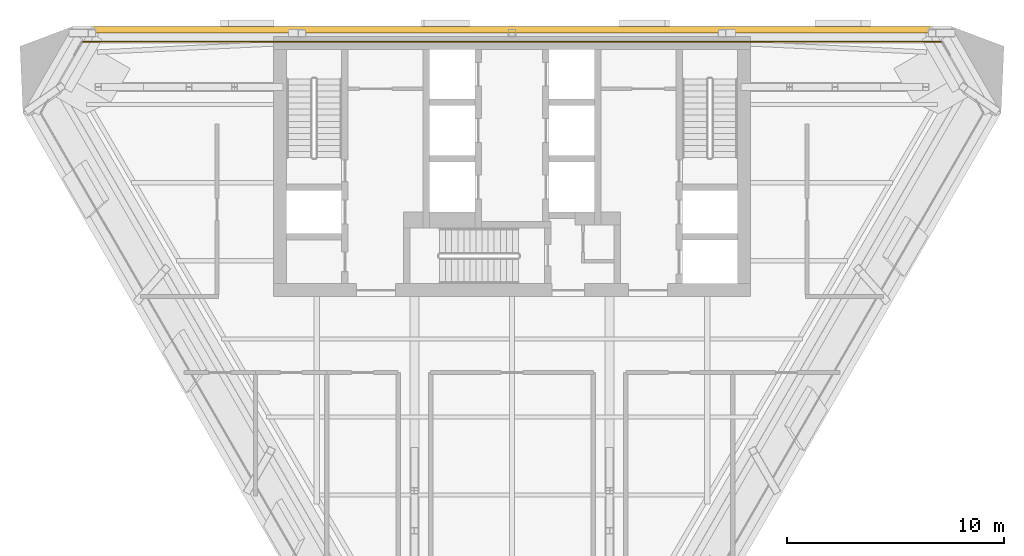
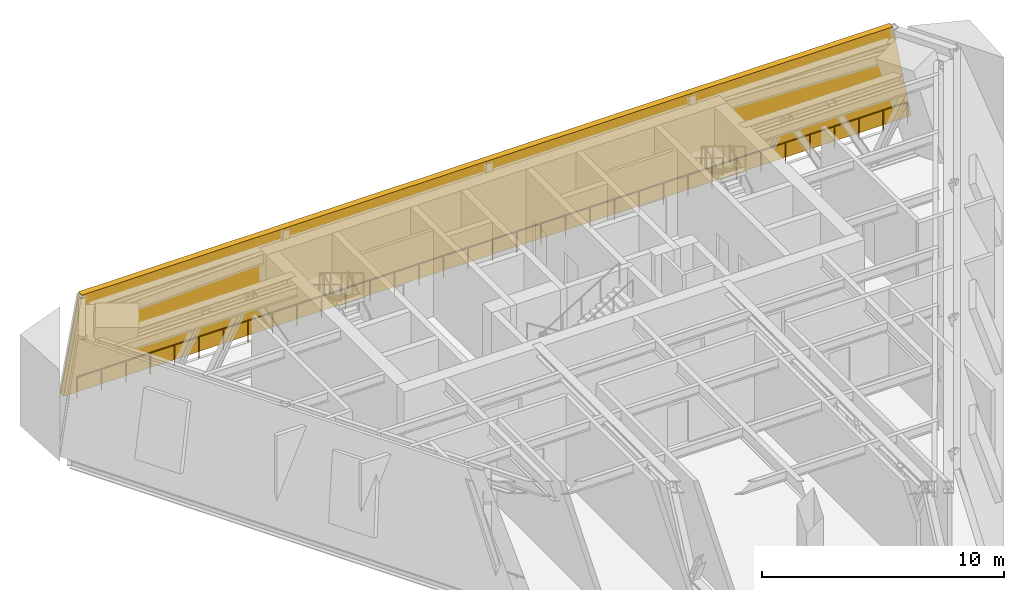
# One storey, part 10 of 11: 1 covering, 1 railing.
"""IFC4 building model written with IfcOpenShell, lengths in metres."""

from ifc_helpers import new_model, si_unit, direction, frame, origin, origin_2d, place, context, subcontext, project, spatial, polyline, circle, outline, extrude, material, layer, layer_set, type_object, element, save


model = new_model("IFC4")

# Units and contexts
model_context = context("Model", 3, precision=1e-05, world=origin(), true_north=direction((0.0, 1.0)))
body_context = subcontext(model_context, "Body", "Model", "MODEL_VIEW")
ifc_project = project(units=[si_unit("LENGTHUNIT", "METRE"), si_unit("AREAUNIT", "SQUARE_METRE"), si_unit("VOLUMEUNIT", "CUBIC_METRE"), si_unit("PLANEANGLEUNIT", "RADIAN"), si_unit("MASSUNIT", "GRAM", prefix="KILO")], contexts=[model_context])

# Site, building, storey
site_placement = place(None, origin())
site = spatial("IfcSite", under=ifc_project, at=site_placement, CompositionType="ELEMENT")
building_placement = place(site_placement, origin())
building = spatial("IfcBuilding", under=site, at=building_placement, Name="Aloe Facet Convention Tower", CompositionType="ELEMENT")
storey_placement = place(building_placement, frame((0.0, 0.0, 175.39990234375)))
storey = spatial("IfcBuildingStorey", under=building, at=storey_placement, Name="L44", CompositionType="ELEMENT", Elevation=175.39990234375)

# Covering
ifc_material_1 = material(Name="Granite cladding, bronze anchors", Category="masonry")
ifc_layer = layer(ifc_material_1, 0.300048828125)
ifc_layer_set = layer_set([ifc_layer], Name="EV-CLAD-STONE")
covering_type = type_object("IfcCoveringType", Name="EV-CLAD-STONE", PredefinedType="CLADDING", material=ifc_layer_set)
covering_placement = place(storey_placement, frame((100.2431640625, 135.0, 0.0), z_axis=(0.0, 1.0, 0.0), x_axis=(-1.0, 0.0, 0.0)))
element("IfcCovering", 1, at=covering_placement, inside=storey, type_object=covering_type, Name="CLADDING L44-N", PredefinedType="CLADDING", context=body_context, shape_type="SweptSolid", body=[
    extrude(outline(polyline([(0.0, 0.0), (40.486328125, 0.0), (39.607666015625, 4.800048828125), (0.878662109375, 4.800048828125), (0.0, 0.0)])), origin(), (0.0, 0.0, -1.0), 0.300048828125),
])

# Railing
ifc_material_2 = material(Name="Steel S355", Category="steel")
railing_type = type_object("IfcRailingType", Name="EV-GUARD-PORTAL", PredefinedType="GUARDRAIL", material=ifc_material_2)
railing_placement = place(storey_placement, frame((60.1611328125, 134.300048828125, 0.0)))
element("IfcRailing", 2, at=railing_placement, inside=storey, type_object=railing_type, Name="GUARD L44-9", PredefinedType="GUARDRAIL", context=body_context, shape_type="SweptSolid", body=[
    extrude(circle(Radius=0.02392578125, at=origin_2d()), frame((0.0, 0.0, 1.076171875), z_axis=(1.0, 0.0, 0.0), x_axis=(0.0, 1.0, 0.0)), (0.0, 0.0, 1.0), 39.677734375),
    extrude(circle(Radius=0.02099609375, at=origin_2d()), origin(), (0.0, 0.0, 1.0), 1.052001953125),
    extrude(circle(Radius=0.02099609375, at=origin_2d()), frame((1.1669921875, 0.0, 0.0)), (0.0, 0.0, 1.0), 1.052001953125),
    extrude(circle(Radius=0.02099609375, at=origin_2d()), frame((2.333984375, 0.0, 0.0)), (0.0, 0.0, 1.0), 1.052001953125),
    extrude(circle(Radius=0.02099609375, at=origin_2d()), frame((3.5009765625, 0.0, 0.0)), (0.0, 0.0, 1.0), 1.052001953125),
    extrude(circle(Radius=0.02099609375, at=origin_2d()), frame((4.66796875, 0.0, 0.0)), (0.0, 0.0, 1.0), 1.052001953125),
    extrude(circle(Radius=0.02099609375, at=origin_2d()), frame((5.8349609375, 0.0, 0.0)), (0.0, 0.0, 1.0), 1.052001953125),
    extrude(circle(Radius=0.02099609375, at=origin_2d()), frame((7.001953125, 0.0, 0.0)), (0.0, 0.0, 1.0), 1.052001953125),
    extrude(circle(Radius=0.02099609375, at=origin_2d()), frame((8.1689453125, 0.0, 0.0)), (0.0, 0.0, 1.0), 1.052001953125),
    extrude(circle(Radius=0.02099609375, at=origin_2d()), frame((9.3359375, 0.0, 0.0)), (0.0, 0.0, 1.0), 1.052001953125),
    extrude(circle(Radius=0.02099609375, at=origin_2d()), frame((10.5029296875, 0.0, 0.0)), (0.0, 0.0, 1.0), 1.052001953125),
    extrude(circle(Radius=0.02099609375, at=origin_2d()), frame((11.669921875, 0.0, 0.0)), (0.0, 0.0, 1.0), 1.052001953125),
    extrude(circle(Radius=0.02099609375, at=origin_2d()), frame((12.8369140625, 0.0, 0.0)), (0.0, 0.0, 1.0), 1.052001953125),
    extrude(circle(Radius=0.02099609375, at=origin_2d()), frame((14.00390625, 0.0, 0.0)), (0.0, 0.0, 1.0), 1.052001953125),
    extrude(circle(Radius=0.02099609375, at=origin_2d()), frame((15.1708984375, 0.0, 0.0)), (0.0, 0.0, 1.0), 1.052001953125),
    extrude(circle(Radius=0.02099609375, at=origin_2d()), frame((16.337890625, 0.0, 0.0)), (0.0, 0.0, 1.0), 1.052001953125),
    extrude(circle(Radius=0.02099609375, at=origin_2d()), frame((17.5048828125, 0.0, 0.0)), (0.0, 0.0, 1.0), 1.052001953125),
    extrude(circle(Radius=0.02099609375, at=origin_2d()), frame((18.671875, 0.0, 0.0)), (0.0, 0.0, 1.0), 1.052001953125),
    extrude(circle(Radius=0.02099609375, at=origin_2d()), frame((19.8388671875, 0.0, 0.0)), (0.0, 0.0, 1.0), 1.052001953125),
    extrude(circle(Radius=0.02099609375, at=origin_2d()), frame((21.005859375, 0.0, 0.0)), (0.0, 0.0, 1.0), 1.052001953125),
    extrude(circle(Radius=0.02099609375, at=origin_2d()), frame((22.1728515625, 0.0, 0.0)), (0.0, 0.0, 1.0), 1.052001953125),
    extrude(circle(Radius=0.02099609375, at=origin_2d()), frame((23.33984375, 0.0, 0.0)), (0.0, 0.0, 1.0), 1.052001953125),
    extrude(circle(Radius=0.02099609375, at=origin_2d()), frame((24.5068359375, 0.0, 0.0)), (0.0, 0.0, 1.0), 1.052001953125),
    extrude(circle(Radius=0.02099609375, at=origin_2d()), frame((25.673828125, 0.0, 0.0)), (0.0, 0.0, 1.0), 1.052001953125),
    extrude(circle(Radius=0.02099609375, at=origin_2d()), frame((26.8408203125, 0.0, 0.0)), (0.0, 0.0, 1.0), 1.052001953125),
    extrude(circle(Radius=0.02099609375, at=origin_2d()), frame((28.0078125, 0.0, 0.0)), (0.0, 0.0, 1.0), 1.052001953125),
    extrude(circle(Radius=0.02099609375, at=origin_2d()), frame((29.1748046875, 0.0, 0.0)), (0.0, 0.0, 1.0), 1.052001953125),
    extrude(circle(Radius=0.02099609375, at=origin_2d()), frame((30.341796875, 0.0, 0.0)), (0.0, 0.0, 1.0), 1.052001953125),
    extrude(circle(Radius=0.02099609375, at=origin_2d()), frame((31.5087890625, 0.0, 0.0)), (0.0, 0.0, 1.0), 1.052001953125),
    extrude(circle(Radius=0.02099609375, at=origin_2d()), frame((32.67578125, 0.0, 0.0)), (0.0, 0.0, 1.0), 1.052001953125),
    extrude(circle(Radius=0.02099609375, at=origin_2d()), frame((33.8427734375, 0.0, 0.0)), (0.0, 0.0, 1.0), 1.052001953125),
    extrude(circle(Radius=0.02099609375, at=origin_2d()), frame((35.009765625, 0.0, 0.0)), (0.0, 0.0, 1.0), 1.052001953125),
    extrude(circle(Radius=0.02099609375, at=origin_2d()), frame((36.1767578125, 0.0, 0.0)), (0.0, 0.0, 1.0), 1.052001953125),
    extrude(circle(Radius=0.02099609375, at=origin_2d()), frame((37.34375, 0.0, 0.0)), (0.0, 0.0, 1.0), 1.052001953125),
    extrude(circle(Radius=0.02099609375, at=origin_2d()), frame((38.5107421875, 0.0, 0.0)), (0.0, 0.0, 1.0), 1.052001953125),
    extrude(circle(Radius=0.02099609375, at=origin_2d()), frame((39.677734375, 0.0, 0.0)), (0.0, 0.0, 1.0), 1.052001953125),
])

save(model, "model.ifc")
